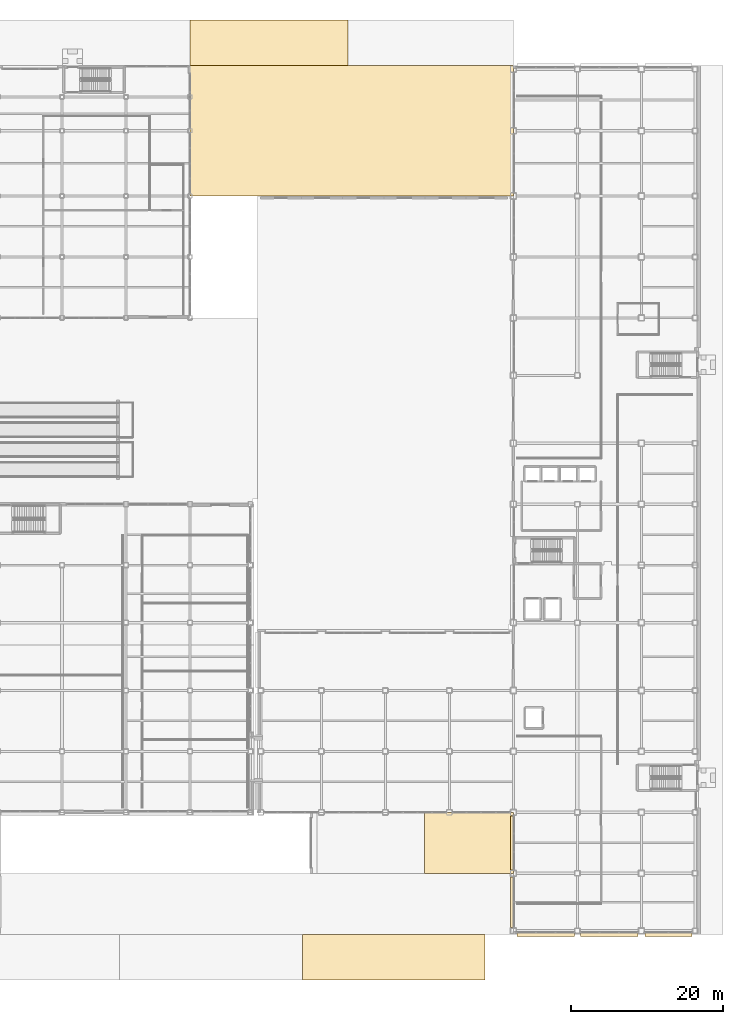
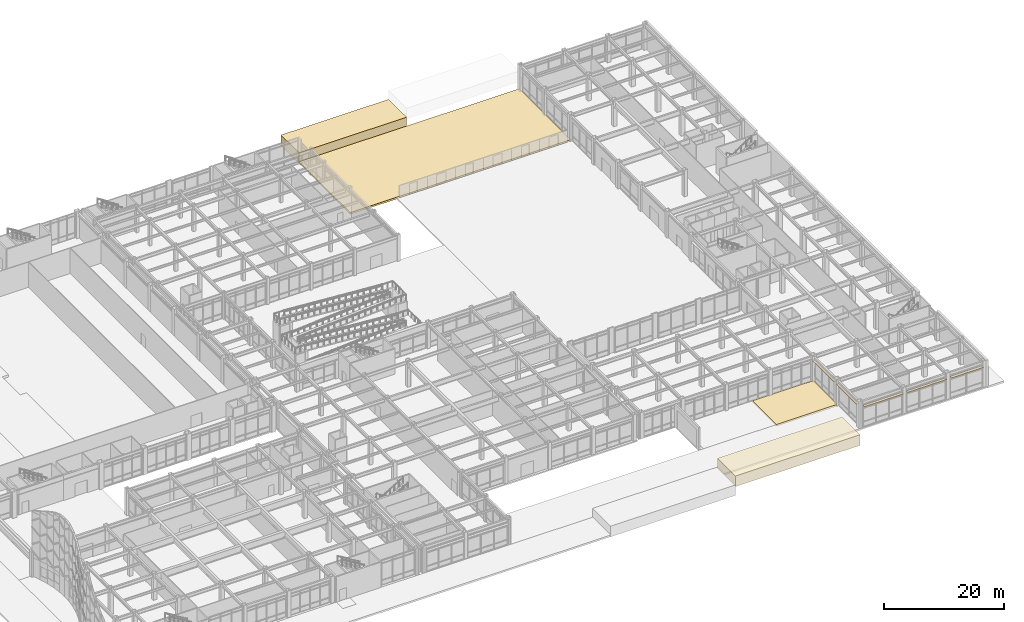
# One storey, part 161 of 165: 9 coverings.
"""IFC4 building model written with IfcOpenShell, lengths in metres."""

from ifc_helpers import new_model, si_unit, direction, frame, origin, origin_2d, place, context, subcontext, project, spatial, polyline, rectangle, outline, extrude, material, layer, layer_set, type_object, element, save


model = new_model("IFC4")

# Units and contexts
model_context = context("Model", 3, precision=1e-05, world=origin(), true_north=direction((0.0, 1.0)))
body_context = subcontext(model_context, "Body", "Model", "MODEL_VIEW")
ifc_project = project(units=[si_unit("LENGTHUNIT", "METRE"), si_unit("AREAUNIT", "SQUARE_METRE"), si_unit("VOLUMEUNIT", "CUBIC_METRE"), si_unit("PLANEANGLEUNIT", "RADIAN"), si_unit("MASSUNIT", "GRAM", prefix="KILO")], contexts=[model_context])

# Site, building, storey
site_placement = place(None, origin())
site = spatial("IfcSite", under=ifc_project, at=site_placement, CompositionType="ELEMENT")
building_placement = place(site_placement, origin())
building = spatial("IfcBuilding", under=site, at=building_placement, Name="Kazehara Bluff Congress Hotel", CompositionType="ELEMENT")
storey_placement = place(building_placement, origin())
storey = spatial("IfcBuildingStorey", under=building, at=storey_placement, Name="L00", CompositionType="ELEMENT", Elevation=0.0)

# Coverings
ifc_material_1 = material(Name="Anodised aluminium architectural brise-soleil", Category="aluminium")
ifc_layer_1 = layer(ifc_material_1, 0.10009765625)
ifc_layer_set_1 = layer_set([ifc_layer_1], Name="Anodised aluminium architectural brise-soleil")
covering_type_1 = type_object("IfcCoveringType", Name="TP-FAC-FIN", PredefinedType="CLADDING", material=ifc_layer_set_1)
for number, where, z_axis, x_axis, name in (
    (1, (147.925048828125, -0.02001953125, 4.304931640625), (0.0, 0.0, 1.0), (1.0, 0.0, 0.0), "L00 V5 architectural sun-hood 18"),
    (2, (156.27490234375, -0.02001953125, 4.304931640625), (0.0, 0.0, 1.0), (1.0, 0.0, 0.0), "L00 V5 architectural sun-hood 19"),
):
    element("IfcCovering", number, at=place(storey_placement, frame(where, z_axis=z_axis, x_axis=x_axis)), inside=storey, type_object=covering_type_1, Name=name, PredefinedType="CLADDING", context=body_context, shape_type="SweptSolid", body=[
        extrude(rectangle(XDim=7.550048828125, YDim=0.52001953125, at=origin_2d()), origin(), (0.0, 0.0, 1.0), 0.10009765625),
    ])
covering_1_placement = place(storey_placement, frame((164.050048828125, -0.02001953125, 4.304931640625), z_axis=(0.0, 0.0, 1.0), x_axis=(1.0, 0.0, 0.0)))
element("IfcCovering", 3, at=covering_1_placement, inside=storey, type_object=covering_type_1, Name="L00 V5 architectural sun-hood 20", PredefinedType="CLADDING", context=body_context, shape_type="SweptSolid", body=[
    extrude(rectangle(XDim=6.199951171875, YDim=0.52001953125, at=origin_2d()), origin(), (0.0, 0.0, 1.0), 0.10009765625),
])
covering_2_placement = place(storey_placement, frame((143.56005859375, 4.22509765625, 4.405029296875), z_axis=(0.0, 0.0, 1.0), x_axis=(1.0, 0.0, 0.0)))
element("IfcCovering", 4, at=covering_2_placement, inside=storey, type_object=covering_type_1, Name="L00 V5 architectural sun-hood 33", PredefinedType="CLADDING", context=body_context, shape_type="SweptSolid", body=[
    extrude(rectangle(XDim=0.52001953125, YDim=6.64990234375, at=origin_2d()), origin(), (0.0, 0.0, 1.0), 0.10009765625),
])
covering_3_placement = place(storey_placement, frame((143.56005859375, 12.0, 4.405029296875), z_axis=(0.0, 0.0, 1.0), x_axis=(1.0, 0.0, 0.0)))
element("IfcCovering", 5, at=covering_3_placement, inside=storey, type_object=covering_type_1, Name="L00 V5 architectural sun-hood 34", PredefinedType="CLADDING", context=body_context, shape_type="SweptSolid", body=[
    extrude(rectangle(XDim=0.52001953125, YDim=7.10009765625, at=origin_2d()), origin(), (0.0, 0.0, 1.0), 0.10009765625),
])
ifc_material_2 = material(Name="Granite stone site paving", Category="masonry")
ifc_layer_2 = layer(ifc_material_2, 0.35009765625)
ifc_layer_set_2 = layer_set([ifc_layer_2], Name="Granite stone site paving")
covering_type_2 = type_object("IfcCoveringType", Name="TP-SITE-PAV", PredefinedType="FLOORING", material=ifc_layer_set_2)
covering_4_placement = place(storey_placement, frame((0.0, 0.0, -0.35009765625)))
element("IfcCovering", 6, at=covering_4_placement, inside=storey, type_object=covering_type_2, Name="Osaka bluff granite site terrace PAV-SOUTH-BAYE", PredefinedType="FLOORING", context=body_context, shape_type="SweptSolid", body=[
    extrude(outline(polyline([(132.0, 8.0), (143.699951171875, 8.0), (143.699951171875, 16.0), (132.0, 16.0), (132.0, 8.0)])), origin(), (0.0, 0.0, 1.0), 0.35009765625),
])
covering_5_placement = place(storey_placement, frame((0.0, 0.0, -0.35009765625)))
element("IfcCovering", 7, at=covering_5_placement, inside=storey, type_object=covering_type_2, Name="Osaka bluff granite site terrace PAV-NORTH-CRT", PredefinedType="FLOORING", context=body_context, shape_type="SweptSolid", body=[
    extrude(outline(polyline([(101.25, 96.89990234375), (143.699951171875, 96.89990234375), (143.699951171875, 114.0), (101.25, 114.0), (101.25, 96.89990234375)])), origin(), (0.0, 0.0, 1.0), 0.35009765625),
])
ifc_material_3 = material(Name="Granite stone site paving", Category="masonry")
ifc_layer_3 = layer(ifc_material_3, 2.14990234375)
ifc_layer_set_3 = layer_set([ifc_layer_3], Name="Granite stone site paving")
covering_type_3 = type_object("IfcCoveringType", Name="TP-SITE-PAV2", PredefinedType="FLOORING", material=ifc_layer_set_3)
covering_6_placement = place(storey_placement, frame((0.0, 0.0, 1.449951171875)))
element("IfcCovering", 8, at=covering_6_placement, inside=storey, type_object=covering_type_3, Name="Osaka bluff granite site terrace PAV-STH-STEP2", PredefinedType="FLOORING", context=body_context, shape_type="SweptSolid", body=[
    extrude(outline(polyline([(116.0, -6.0), (140.0, -6.0), (140.0, 0.0), (116.0, 0.0), (116.0, -6.0)])), origin(), (0.0, 0.0, 1.0), 2.150146484375),
])
covering_7_placement = place(storey_placement, frame((0.0, 0.0, -0.35009765625)))
element("IfcCovering", 9, at=covering_7_placement, inside=storey, type_object=covering_type_3, Name="Osaka bluff granite site terrace PAV-NTH-STEP1", PredefinedType="FLOORING", context=body_context, shape_type="SweptSolid", body=[
    extrude(outline(polyline([(101.25, 114.0), (122.0, 114.0), (122.0, 120.0), (101.25, 120.0), (101.25, 114.0)])), origin(), (0.0, 0.0, 1.0), 2.150146484375),
])

save(model, "model.ifc")
